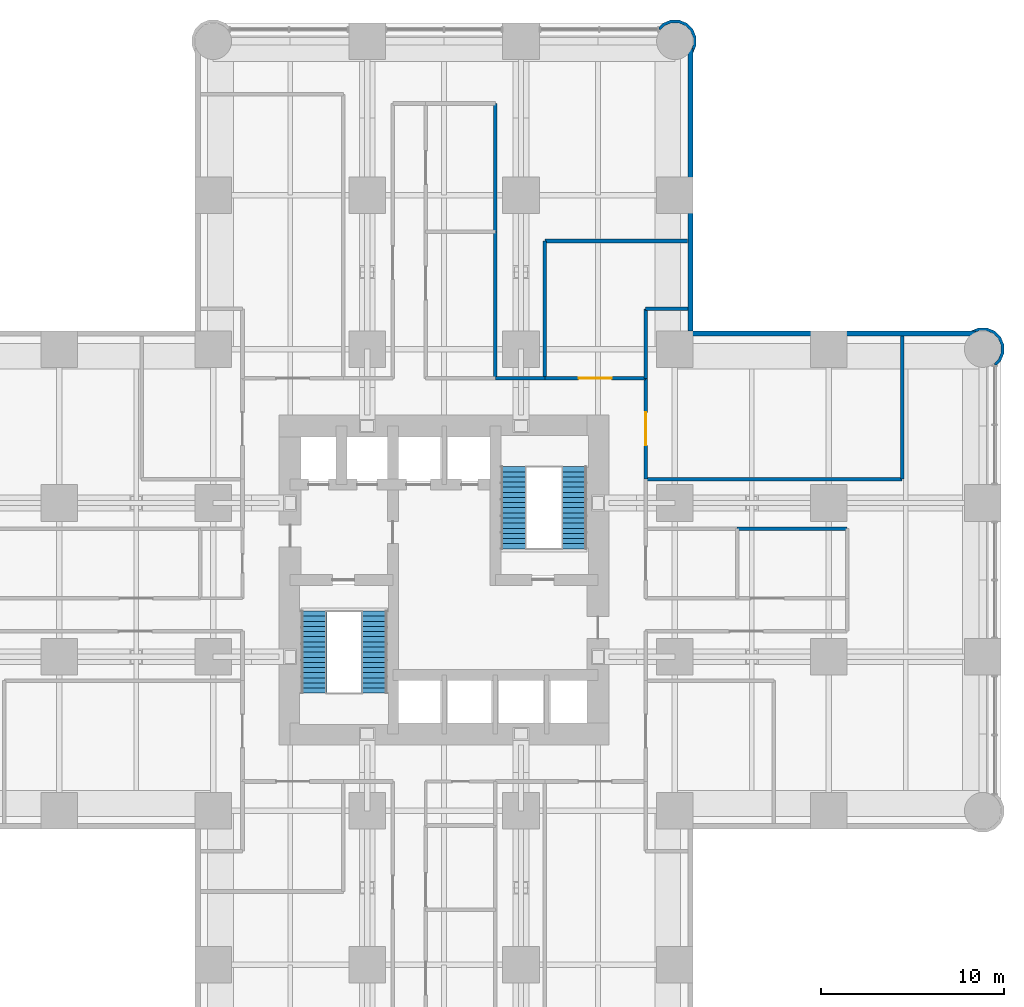
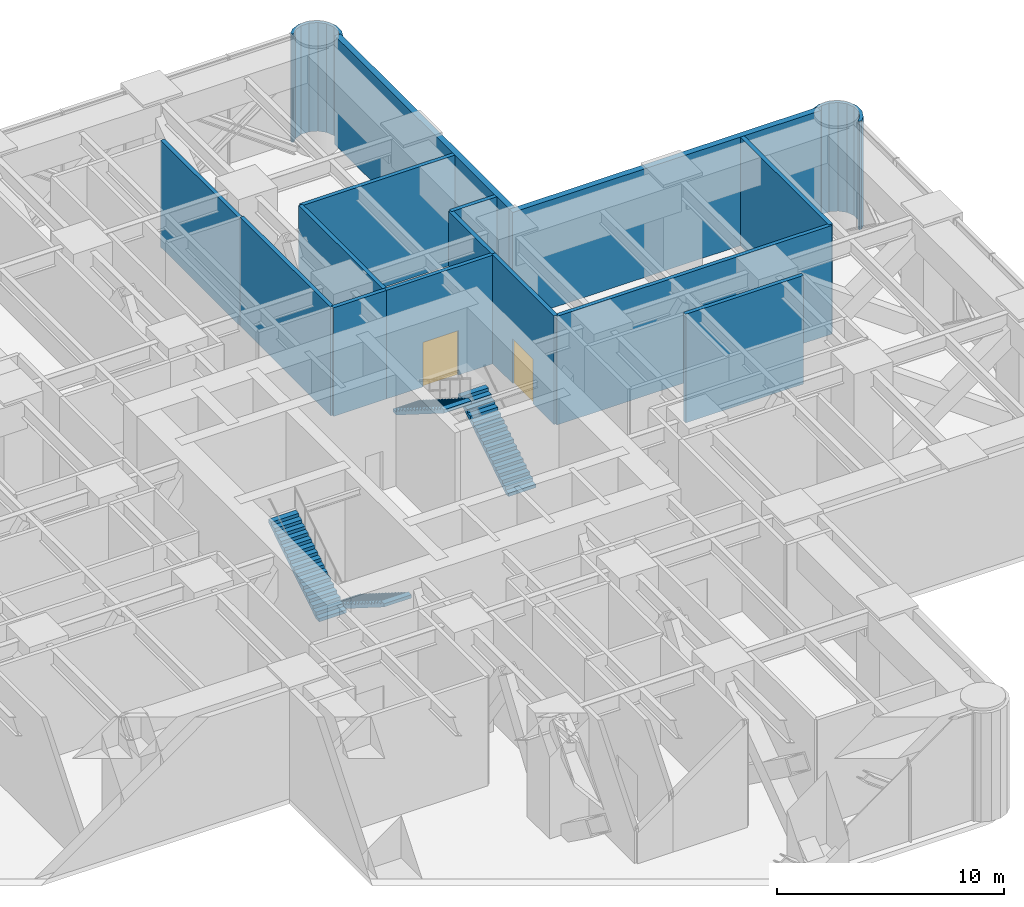
# One storey, part 10 of 12: 16 walls, 4 stair flights, 2 doors, 2 openings, 2 elements without a shape of their own.
"""IFC4 building model written with IfcOpenShell, lengths in metres."""

from ifc_helpers import new_model, si_unit, direction, frame, frame_2d, origin, place, context, subcontext, project, spatial, polyline, rectangle, outline, extrude, material, layer, layer_set, type_object, element, fill, aggregate, save


model = new_model("IFC4")

# Units and contexts
model_context = context("Model", 3, precision=1e-05, world=origin(), true_north=direction((0.0, 1.0)))
body_context = subcontext(model_context, "Body", "Model", "MODEL_VIEW")
ifc_project = project(units=[si_unit("LENGTHUNIT", "METRE"), si_unit("AREAUNIT", "SQUARE_METRE"), si_unit("VOLUMEUNIT", "CUBIC_METRE"), si_unit("PLANEANGLEUNIT", "RADIAN"), si_unit("MASSUNIT", "GRAM", prefix="KILO")], contexts=[model_context])

# Site, building, storey
site_placement = place(None, origin())
site = spatial("IfcSite", under=ifc_project, at=site_placement, CompositionType="ELEMENT")
building_placement = place(site_placement, origin())
building = spatial("IfcBuilding", under=site, at=building_placement, Name="Torre Alcanfor", CompositionType="ELEMENT")
storey_placement = place(building_placement, frame((0.0, 0.0, 102.89990234375)))
storey = spatial("IfcBuildingStorey", under=building, at=storey_placement, Name="L26", CompositionType="ELEMENT", Elevation=102.89990234375)

# Walls
ifc_material_1 = material(Name="Limestone cladding", Category="masonry")
ifc_layer_1 = layer(ifc_material_1, 0.0400390625, Name="Facing")
ifc_material_2 = material(Name="Ventilated air cavity")
ifc_layer_2 = layer(ifc_material_2, 0.02001953125, ventilated=True, Name="Ventilated joint")
ifc_material_3 = material(Name="Mineral wool insulation", Category="insulation")
ifc_layer_3 = layer(ifc_material_3, 0.10009765625, Name="Insulation")
ifc_material_4 = material(Name="Concrete f'c 35 MPa", Category="concrete")
ifc_layer_4 = layer(ifc_material_4, 0.139892578125, Name="Backing")
ifc_layer_set_1 = layer_set([ifc_layer_1, ifc_layer_2, ifc_layer_3, ifc_layer_4], Name="External wall stone-clad 300")
wall_type_1 = type_object("IfcWallType", Name="External wall stone-clad 300", PredefinedType="SOLIDWALL", material=ifc_layer_set_1)
wall_1_placement = place(storey_placement, frame((58.39990234375, 42.85009765625, 0.0), z_axis=(0.0, 0.0, 1.0), x_axis=(-1.0, 0.0, 0.0)))
element("IfcWall", 1, at=wall_1_placement, inside=storey, type_object=wall_type_1, Name="External wall L26 9", PredefinedType="SOLIDWALL", context=body_context, shape_type="SweptSolid", body=[
    extrude(rectangle(XDim=15.699951171875, YDim=0.300048828125, at=frame_2d((7.85009765625, 0.0))), origin(), (0.0, 0.0, 1.0), 5.85009765625),
])
wall_2_placement = place(storey_placement, frame((42.85009765625, 43.0, 0.0), z_axis=(0.0, 0.0, 1.0), x_axis=(0.0, 1.0, 0.0)))
element("IfcWall", 2, at=wall_2_placement, inside=storey, type_object=wall_type_1, Name="External wall L26 10", PredefinedType="SOLIDWALL", context=body_context, shape_type="SweptSolid", body=[
    extrude(rectangle(XDim=15.39990234375, YDim=0.300048828125, at=frame_2d((7.699951171875, 0.0))), origin(), (0.0, 0.0, 1.0), 5.85009765625),
])

# Wall, opening, door
ifc_material_5 = material(Name="Concrete block masonry, hollow blocks NMX-C-404 9 MPa", Category="masonry")
ifc_layer_5 = layer(ifc_material_5, 0.199951171875)
ifc_layer_set_2 = layer_set([ifc_layer_5], Name="Plant room wall 200 EI 60")
wall_type_2 = type_object("IfcWallType", Name="Plant room wall 200 EI 60", PredefinedType="PARTITIONING", material=ifc_layer_set_2)
wall_3_placement = place(storey_placement, frame((34.89990234375, 40.39990234375, 0.0), z_axis=(0.0, 0.0, 1.0), x_axis=(1.0, 0.0, 0.0)))
wall_3 = element("IfcWall", 3, at=wall_3_placement, inside=storey, type_object=wall_type_2, Name="Partition L26-CORR / L26-N2", PredefinedType="PARTITIONING", context=body_context, shape_type="SweptSolid", body=[
    extrude(rectangle(XDim=5.5, YDim=0.199951171875, at=frame_2d((2.75, 0.0))), origin(), (0.0, 0.0, 1.0), 5.85009765625),
])
opening_1_placement = place(wall_3_placement, frame((1.85009765625, 0.0, 0.0)))
opening_1 = element("IfcOpeningElement", 4, at=opening_1_placement, cuts=wall_3, Name="Opening D-P1", PredefinedType="OPENING", context=body_context, shape_type="SweptSolid", body=[
    extrude(rectangle(XDim=1.800048828125, YDim=2.39990234375, at=frame_2d((0.89990234375, 1.199951171875))), frame((0.0, 0.10986328125, 0.0), z_axis=(0.0, -1.0, 0.0), x_axis=(1.0, 0.0, 0.0)), (0.0, 0.0, 1.0), 0.219970703125),
])
ifc_material_6 = material(Name="Galvanised steel sheet ASTM A653", Category="steel")
door_type = type_object("IfcDoorType", Name="Plant room door FD60 1800x2400", OperationType="DOUBLE_DOOR_SINGLE_SWING", PredefinedType="DOOR", material=ifc_material_6)
door_1_placement = place(opening_1_placement, origin())
door_1 = element("IfcDoor", 5, at=door_1_placement, inside=storey, type_object=door_type, Name="Door L26-N2 booster pump room", OperationType="DOUBLE_DOOR_SINGLE_SWING", OverallHeight=2.39990234375, OverallWidth=1.800048828125, PredefinedType="DOOR", context=body_context, shape_type="SweptSolid", body=[
    extrude(rectangle(XDim=1.800048828125, YDim=2.39990234375, at=frame_2d((0.89990234375, 1.199951171875))), frame((0.0, 0.02490234375, 0.0), z_axis=(0.0, -1.0, 0.0), x_axis=(1.0, 0.0, 0.0)), (0.0, 0.0, 1.0), 0.050048828125),
])
fill(opening_1, door_1)

# Wall
wall_4_placement = place(storey_placement, frame((32.199951171875, 40.39990234375, 0.0), z_axis=(0.0, 0.0, 1.0), x_axis=(1.0, 0.0, 0.0)))
element("IfcWall", 6, at=wall_4_placement, inside=storey, type_object=wall_type_2, Name="Partition L26-CORR / L26-NH", PredefinedType="PARTITIONING", context=body_context, shape_type="SweptSolid", body=[
    extrude(rectangle(XDim=2.699951171875, YDim=0.199951171875, at=frame_2d((1.35009765625, 0.0))), origin(), (0.0, 0.0, 1.0), 5.85009765625),
])

# Wall, opening, door
wall_5_placement = place(storey_placement, frame((40.39990234375, 40.39990234375, 0.0), z_axis=(0.0, 0.0, 1.0), x_axis=(0.0, -1.0, 0.0)))
wall_5 = element("IfcWall", 7, at=wall_5_placement, inside=storey, type_object=wall_type_2, Name="Partition L26-CORR / L26-E2", PredefinedType="PARTITIONING", context=body_context, shape_type="SweptSolid", body=[
    extrude(rectangle(XDim=5.5, YDim=0.199951171875, at=frame_2d((2.75, 0.0))), origin(), (0.0, 0.0, 1.0), 5.85009765625),
])
opening_2_placement = place(wall_5_placement, frame((1.85009765625, 0.0, 0.0)))
opening_2 = element("IfcOpeningElement", 8, at=opening_2_placement, cuts=wall_5, Name="Opening D-P1", PredefinedType="OPENING", context=body_context, shape_type="SweptSolid", body=[
    extrude(rectangle(XDim=1.800048828125, YDim=2.39990234375, at=frame_2d((0.89990234375, 1.199951171875))), frame((0.0, 0.10986328125, 0.0), z_axis=(0.0, -1.0, 0.0), x_axis=(1.0, 0.0, 0.0)), (0.0, 0.0, 1.0), 0.219970703125),
])
door_2_placement = place(opening_2_placement, origin())
door_2 = element("IfcDoor", 9, at=door_2_placement, inside=storey, type_object=door_type, Name="Door L26-E2 sprinkler zone valve room", OperationType="DOUBLE_DOOR_SINGLE_SWING", OverallHeight=2.39990234375, OverallWidth=1.800048828125, PredefinedType="DOOR", context=body_context, shape_type="SweptSolid", body=[
    extrude(rectangle(XDim=1.800048828125, YDim=2.39990234375, at=frame_2d((0.89990234375, 1.199951171875))), frame((0.0, 0.02490234375, 0.0), z_axis=(0.0, -1.0, 0.0), x_axis=(1.0, 0.0, 0.0)), (0.0, 0.0, 1.0), 0.050048828125),
])
fill(opening_2, door_2)

# Walls
wall_6_placement = place(storey_placement, frame((34.89990234375, 40.39990234375, 0.0), z_axis=(0.0, 0.0, 1.0), x_axis=(0.0, 1.0, 0.0)))
element("IfcWall", 10, at=wall_6_placement, inside=storey, type_object=wall_type_2, Name="Partition L26-N2 / L26-NH", PredefinedType="PARTITIONING", context=body_context, shape_type="SweptSolid", body=[
    extrude(rectangle(XDim=7.5, YDim=0.199951171875, at=frame_2d((3.75, 0.0))), origin(), (0.0, 0.0, 1.0), 5.85009765625),
])
wall_7_placement = place(storey_placement, frame((34.89990234375, 47.89990234375, 0.0), z_axis=(0.0, 0.0, 1.0), x_axis=(1.0, 0.0, 0.0)))
element("IfcWall", 11, at=wall_7_placement, inside=storey, type_object=wall_type_2, Name="Partition L26-N2 / L26-NH", PredefinedType="PARTITIONING", context=body_context, shape_type="SweptSolid", body=[
    extrude(rectangle(XDim=7.800048828125, YDim=0.199951171875, at=frame_2d((3.89990234375, 0.0))), origin(), (0.0, 0.0, 1.0), 5.85009765625),
])
wall_8_placement = place(storey_placement, frame((42.699951171875, 44.199951171875, 0.0), z_axis=(0.0, 0.0, 1.0), x_axis=(-1.0, 0.0, 0.0)))
element("IfcWall", 12, at=wall_8_placement, inside=storey, type_object=wall_type_2, Name="Partition L26-N2 / L26-E2", PredefinedType="PARTITIONING", context=body_context, shape_type="SweptSolid", body=[
    extrude(rectangle(XDim=2.300048828125, YDim=0.199951171875, at=frame_2d((1.14990234375, 0.0))), origin(), (0.0, 0.0, 1.0), 5.85009765625),
])
wall_9_placement = place(storey_placement, frame((40.39990234375, 44.199951171875, 0.0), z_axis=(0.0, 0.0, 1.0), x_axis=(0.0, -1.0, 0.0)))
element("IfcWall", 13, at=wall_9_placement, inside=storey, type_object=wall_type_2, Name="Partition L26-N2 / L26-E2", PredefinedType="PARTITIONING", context=body_context, shape_type="SweptSolid", body=[
    extrude(rectangle(XDim=3.800048828125, YDim=0.199951171875, at=frame_2d((1.89990234375, 0.0))), origin(), (0.0, 0.0, 1.0), 5.85009765625),
])
wall_10_placement = place(storey_placement, frame((32.199951171875, 48.39990234375, 0.0), z_axis=(0.0, 0.0, 1.0), x_axis=(0.0, -1.0, 0.0)))
element("IfcWall", 14, at=wall_10_placement, inside=storey, type_object=wall_type_2, Name="Partition L26-N3 / L26-NH", PredefinedType="PARTITIONING", context=body_context, shape_type="SweptSolid", body=[
    extrude(rectangle(XDim=8.0, YDim=0.199951171875, at=frame_2d((4.0, 0.0))), origin(), (0.0, 0.0, 1.0), 5.85009765625),
])
wall_11_placement = place(storey_placement, frame((32.199951171875, 55.39990234375, 0.0), z_axis=(0.0, 0.0, 1.0), x_axis=(0.0, -1.0, 0.0)))
element("IfcWall", 15, at=wall_11_placement, inside=storey, type_object=wall_type_2, Name="Partition L26-N4 / L26-NH", PredefinedType="PARTITIONING", context=body_context, shape_type="SweptSolid", body=[
    extrude(rectangle(XDim=7.0, YDim=0.199951171875, at=frame_2d((3.5, 0.0))), origin(), (0.0, 0.0, 1.0), 5.75),
])
wall_12_placement = place(storey_placement, frame((54.39990234375, 42.699951171875, 0.0), z_axis=(0.0, 0.0, 1.0), x_axis=(0.0, -1.0, 0.0)))
element("IfcWall", 16, at=wall_12_placement, inside=storey, type_object=wall_type_2, Name="Partition L26-E2 / L26-EH", PredefinedType="PARTITIONING", context=body_context, shape_type="SweptSolid", body=[
    extrude(rectangle(XDim=7.800048828125, YDim=0.199951171875, at=frame_2d((3.89990234375, 0.0))), origin(), (0.0, 0.0, 1.0), 5.85009765625),
])
wall_13_placement = place(storey_placement, frame((54.39990234375, 34.89990234375, 0.0), z_axis=(0.0, 0.0, 1.0), x_axis=(-1.0, 0.0, 0.0)))
element("IfcWall", 17, at=wall_13_placement, inside=storey, type_object=wall_type_2, Name="Partition L26-E2 / L26-EH", PredefinedType="PARTITIONING", context=body_context, shape_type="SweptSolid", body=[
    extrude(rectangle(XDim=14.0, YDim=0.199951171875, at=frame_2d((7.0, 0.0))), origin(), (0.0, 0.0, 1.0), 5.85009765625),
])
wall_14_placement = place(storey_placement, frame((45.39990234375, 32.199951171875, 0.0), z_axis=(0.0, 0.0, 1.0), x_axis=(1.0, 0.0, 0.0)))
element("IfcWall", 18, at=wall_14_placement, inside=storey, type_object=wall_type_2, Name="Partition L26-E4 / L26-EH", PredefinedType="PARTITIONING", context=body_context, shape_type="SweptSolid", body=[
    extrude(rectangle(XDim=6.0, YDim=0.199951171875, at=frame_2d((3.0, 0.0))), origin(), (0.0, 0.0, 1.0), 5.85009765625),
])
ifc_layer_6 = layer(ifc_material_1, 0.0400390625, Name="Facing")
ifc_layer_7 = layer(ifc_material_2, 0.02001953125, ventilated=True, Name="Ventilated joint")
ifc_layer_8 = layer(ifc_material_3, 0.10009765625, Name="Insulation")
ifc_layer_9 = layer(ifc_material_4, 0.139892578125, Name="Backing")
ifc_layer_set_3 = layer_set([ifc_layer_6, ifc_layer_7, ifc_layer_8, ifc_layer_9], Name="Rounded corner pier stone-clad 300")
wall_type_3 = type_object("IfcWallType", Name="Rounded corner pier stone-clad 300", PredefinedType="SOLIDWALL", material=ifc_layer_set_3)
wall_15_placement = place(storey_placement, frame((59.514370029, 41.190015148, 0.0), z_axis=(0.0, 0.0, 1.0), x_axis=(0.82944431473, 0.558589409818, 0.0)))
element("IfcWall", 19, at=wall_15_placement, inside=storey, type_object=wall_type_3, Name="Corner pier L26 18", PredefinedType="SOLIDWALL", context=body_context, shape_type="SweptSolid", body=[
    extrude(outline(polyline([(0.693168028779747, 0.23157147244575613), (0.9509155836032098, 0.6142984633736222), (1.0426169678788284, 1.066463970409293), (0.9542055890049727, 1.5195404083296775), (0.6992374175643958, 1.9040583158231237), (0.3165104266365296, 2.1618058706465866), (-0.09317145064243992, 2.2449119302619125), (0.0866494847776369, 2.1238114918051743), (0.028785161444390917, 2.05799433770547), (0.2538533491971754, 2.012385391458085), (0.5841325672941857, 1.7899587978511708), (0.8042040493674414, 1.458081968508342), (0.8805142447454739, 1.0670197326368955), (0.8014951044147085, 0.6769555408129765), (0.5789321364401628, 0.34647382166256513), (0.24719168146496523, 0.12660484064271033), (-0.028652911255448412, 0.07277771842631653), (-0.08783938680750283, -0.015107738749711982), (0.010778626198778, -0.0815220557862339), (0.30865012128630087, -0.02339669899482094), (0.693168028779747, 0.23157147244575613)])), origin(), (0.0, 0.0, 1.0), 5.85009765625),
])
wall_16_placement = place(storey_placement, frame((42.919127633, 58.23289825, 0.0), z_axis=(0.0, 0.0, 1.0), x_axis=(0.558589409818, 0.82944431473, 0.0)))
element("IfcWall", 20, at=wall_16_placement, inside=storey, type_object=wall_type_3, Name="Corner pier L26 19", PredefinedType="SOLIDWALL", context=body_context, shape_type="SweptSolid", body=[
    extrude(outline(polyline([(0.4135559857096932, -0.011786785703272767), (0.7962829766375592, 0.24596076912019008), (1.0512511480781364, 0.6304786766136362), (1.1396625269519918, 1.0835551145340208), (1.0479611426763735, 1.5357206215696917), (0.7902135878529106, 1.9184476124975578), (0.40569568035946435, 2.1734157839381347), (0.10782418527194171, 2.2315411407295476), (0.009206172265660895, 2.1651268236930257), (0.06839264781771526, 2.0772413665169975), (0.3442372405381289, 2.0234142443006036), (0.6759776955133263, 1.8035452632807487), (0.8985406634878721, 1.4730635441303375), (0.9775598038186375, 1.0829993523064183), (0.9012496084406051, 0.6919371164349719), (0.6811781263673493, 0.3600602870921428), (0.3508989082703389, 0.13763369348522858), (0.12583072051755465, 0.09202474723784371), (0.18369504385080046, 0.02620759313813946), (0.003874108430723701, -0.09489284531859864), (0.4135559857096932, -0.011786785703272767)])), origin(), (0.0, 0.0, 1.0), 5.85009765625),
])

# Stair, stair flights
ifc_material_7 = material(Name="Concrete f'c 35 MPa", Category="concrete")
stair_type_1 = type_object("IfcStairType", Name="Exit stair S1 1400 wide", PredefinedType="HALF_TURN_STAIR", material=ifc_material_7)
stair_1_placement = place(storey_placement, origin())
stair_1 = element("IfcStair", 21, at=stair_1_placement, inside=storey, type_object=stair_type_1, Name="Stair S1 L26 to L27", PredefinedType="HALF_TURN_STAIR")
ifc_material_8 = material(Name="Concrete f'c 35 MPa", Category="concrete")
stair_flight_type = type_object("IfcStairFlightType", Name="Stair flight 1400", PredefinedType="STRAIGHT", material=ifc_material_8)
stair_flight_1_placement = place(storey_placement, frame((25.60009765625, 27.699951171875, 0.0), z_axis=(0.0, 0.0, 1.0), x_axis=(0.0, -1.0, 0.0)))
stair_flight_1 = element("IfcStairFlight", 22, at=stair_flight_1_placement, type_object=stair_flight_type, Name="S1 flight 1", NumberOfRisers=17, NumberOfTreads=16, PredefinedType="STRAIGHT", RiserHeight=0.176470588, TreadLength=0.28, context=body_context, shape_type="SweptSolid", body=[
    extrude(outline(polyline([(0.0, 0.0), (0.0, 0.176513671875), (0.280029296875, 0.176513671875), (0.280029296875, 0.35302734375), (0.56005859375, 0.35302734375), (0.56005859375, 0.529296875), (0.840087890625, 0.529296875), (0.840087890625, 0.705810546875), (1.1201171875, 0.705810546875), (1.1201171875, 0.88232421875), (1.39990234375, 0.88232421875), (1.39990234375, 1.058837890625), (1.679931640625, 1.058837890625), (1.679931640625, 1.2353515625), (1.9599609375, 1.2353515625), (1.9599609375, 1.411865234375), (2.239990234375, 1.411865234375), (2.239990234375, 1.588134765625), (2.52001953125, 1.588134765625), (2.52001953125, 1.7646484375), (2.800048828125, 1.7646484375), (2.800048828125, 1.941162109375), (3.080078125, 1.941162109375), (3.080078125, 2.11767578125), (3.360107421875, 2.11767578125), (3.360107421875, 2.294189453125), (3.639892578125, 2.294189453125), (3.639892578125, 2.470703125), (3.919921875, 2.470703125), (3.919921875, 2.64697265625), (4.199951171875, 2.64697265625), (4.199951171875, 2.823486328125), (4.47998046875, 2.823486328125), (4.47998046875, 3.0), (4.47998046875, 2.646240234375), (0.28125, 0.0), (0.0, 0.0)])), frame((0.0, 0.699951171875, 0.0), z_axis=(0.0, -1.0, 0.0), x_axis=(1.0, 0.0, 0.0)), (0.0, 0.0, 1.0), 1.39990234375),
])
stair_flight_2_placement = place(storey_placement, frame((22.300048828125, 23.219970703125, 3.0), z_axis=(0.0, 0.0, 1.0), x_axis=(0.0, 1.0, 0.0)))
stair_flight_2 = element("IfcStairFlight", 23, at=stair_flight_2_placement, type_object=stair_flight_type, Name="S1 flight 2", NumberOfRisers=17, NumberOfTreads=16, PredefinedType="STRAIGHT", RiserHeight=0.176470588, TreadLength=0.28, context=body_context, shape_type="SweptSolid", body=[
    extrude(outline(polyline([(0.0, 0.0), (0.0, 0.176513671875), (0.280029296875, 0.176513671875), (0.280029296875, 0.35302734375), (0.56005859375, 0.35302734375), (0.56005859375, 0.529296875), (0.840087890625, 0.529296875), (0.840087890625, 0.705810546875), (1.1201171875, 0.705810546875), (1.1201171875, 0.88232421875), (1.39990234375, 0.88232421875), (1.39990234375, 1.058837890625), (1.679931640625, 1.058837890625), (1.679931640625, 1.2353515625), (1.9599609375, 1.2353515625), (1.9599609375, 1.411865234375), (2.239990234375, 1.411865234375), (2.239990234375, 1.588134765625), (2.52001953125, 1.588134765625), (2.52001953125, 1.7646484375), (2.800048828125, 1.7646484375), (2.800048828125, 1.941162109375), (3.080078125, 1.941162109375), (3.080078125, 2.11767578125), (3.360107421875, 2.11767578125), (3.360107421875, 2.294189453125), (3.639892578125, 2.294189453125), (3.639892578125, 2.470703125), (3.919921875, 2.470703125), (3.919921875, 2.64697265625), (4.199951171875, 2.64697265625), (4.199951171875, 2.823486328125), (4.47998046875, 2.823486328125), (4.47998046875, 3.0), (4.47998046875, 2.646240234375), (0.28125, 0.0), (0.0, 0.0)])), frame((0.0, 0.699951171875, 0.0), z_axis=(0.0, -1.0, 0.0), x_axis=(1.0, 0.0, 0.0)), (0.0, 0.0, 1.0), 1.39990234375),
])
aggregate(stair_1, [stair_flight_1, stair_flight_2])

ifc_material_9 = material(Name="Concrete f'c 35 MPa", Category="concrete")
stair_type_2 = type_object("IfcStairType", Name="Exit stair S2 1400 wide", PredefinedType="HALF_TURN_STAIR", material=ifc_material_9)
stair_2_placement = place(storey_placement, origin())
stair_2 = element("IfcStair", 24, at=stair_2_placement, inside=storey, type_object=stair_type_2, Name="Stair S2 L26 to L27", PredefinedType="HALF_TURN_STAIR")
stair_flight_3_placement = place(storey_placement, frame((36.5, 31.10009765625, 0.0), z_axis=(0.0, 0.0, 1.0), x_axis=(0.0, 1.0, 0.0)))
stair_flight_3 = element("IfcStairFlight", 25, at=stair_flight_3_placement, type_object=stair_flight_type, Name="S2 flight 1", NumberOfRisers=17, NumberOfTreads=16, PredefinedType="STRAIGHT", RiserHeight=0.176470588, TreadLength=0.28, context=body_context, shape_type="SweptSolid", body=[
    extrude(outline(polyline([(0.0, 0.0), (0.0, 0.176513671875), (0.280029296875, 0.176513671875), (0.280029296875, 0.35302734375), (0.56005859375, 0.35302734375), (0.56005859375, 0.529296875), (0.840087890625, 0.529296875), (0.840087890625, 0.705810546875), (1.1201171875, 0.705810546875), (1.1201171875, 0.88232421875), (1.39990234375, 0.88232421875), (1.39990234375, 1.058837890625), (1.679931640625, 1.058837890625), (1.679931640625, 1.2353515625), (1.9599609375, 1.2353515625), (1.9599609375, 1.411865234375), (2.239990234375, 1.411865234375), (2.239990234375, 1.588134765625), (2.52001953125, 1.588134765625), (2.52001953125, 1.7646484375), (2.800048828125, 1.7646484375), (2.800048828125, 1.941162109375), (3.080078125, 1.941162109375), (3.080078125, 2.11767578125), (3.360107421875, 2.11767578125), (3.360107421875, 2.294189453125), (3.639892578125, 2.294189453125), (3.639892578125, 2.470703125), (3.919921875, 2.470703125), (3.919921875, 2.64697265625), (4.199951171875, 2.64697265625), (4.199951171875, 2.823486328125), (4.47998046875, 2.823486328125), (4.47998046875, 3.0), (4.47998046875, 2.646240234375), (0.28125, 0.0), (0.0, 0.0)])), frame((0.0, 0.699951171875, 0.0), z_axis=(0.0, -1.0, 0.0), x_axis=(1.0, 0.0, 0.0)), (0.0, 0.0, 1.0), 1.39990234375),
])
stair_flight_4_placement = place(storey_placement, frame((33.199951171875, 35.580078125, 3.0), z_axis=(0.0, 0.0, 1.0), x_axis=(0.0, -1.0, 0.0)))
stair_flight_4 = element("IfcStairFlight", 26, at=stair_flight_4_placement, type_object=stair_flight_type, Name="S2 flight 2", NumberOfRisers=17, NumberOfTreads=16, PredefinedType="STRAIGHT", RiserHeight=0.176470588, TreadLength=0.28, context=body_context, shape_type="SweptSolid", body=[
    extrude(outline(polyline([(0.0, 0.0), (0.0, 0.176513671875), (0.280029296875, 0.176513671875), (0.280029296875, 0.35302734375), (0.56005859375, 0.35302734375), (0.56005859375, 0.529296875), (0.840087890625, 0.529296875), (0.840087890625, 0.705810546875), (1.1201171875, 0.705810546875), (1.1201171875, 0.88232421875), (1.39990234375, 0.88232421875), (1.39990234375, 1.058837890625), (1.679931640625, 1.058837890625), (1.679931640625, 1.2353515625), (1.9599609375, 1.2353515625), (1.9599609375, 1.411865234375), (2.239990234375, 1.411865234375), (2.239990234375, 1.588134765625), (2.52001953125, 1.588134765625), (2.52001953125, 1.7646484375), (2.800048828125, 1.7646484375), (2.800048828125, 1.941162109375), (3.080078125, 1.941162109375), (3.080078125, 2.11767578125), (3.360107421875, 2.11767578125), (3.360107421875, 2.294189453125), (3.639892578125, 2.294189453125), (3.639892578125, 2.470703125), (3.919921875, 2.470703125), (3.919921875, 2.64697265625), (4.199951171875, 2.64697265625), (4.199951171875, 2.823486328125), (4.47998046875, 2.823486328125), (4.47998046875, 3.0), (4.47998046875, 2.646240234375), (0.28125, 0.0), (0.0, 0.0)])), frame((0.0, 0.699951171875, 0.0), z_axis=(0.0, -1.0, 0.0), x_axis=(1.0, 0.0, 0.0)), (0.0, 0.0, 1.0), 1.39990234375),
])
aggregate(stair_2, [stair_flight_3, stair_flight_4])

save(model, "model.ifc")
